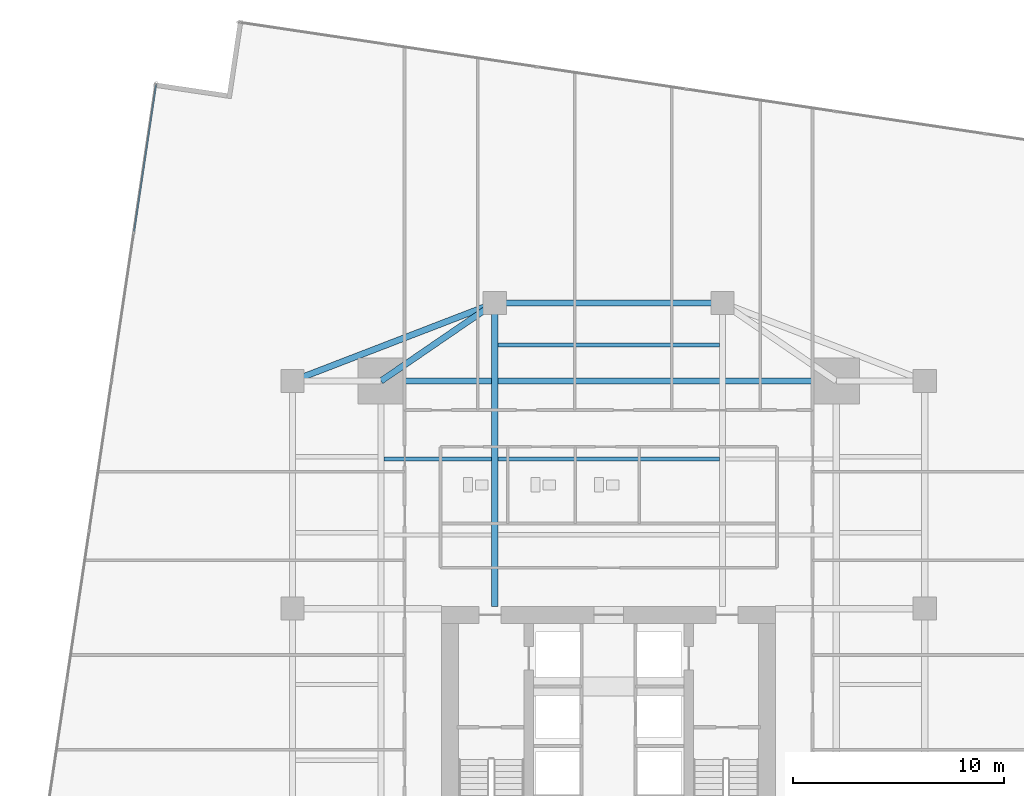
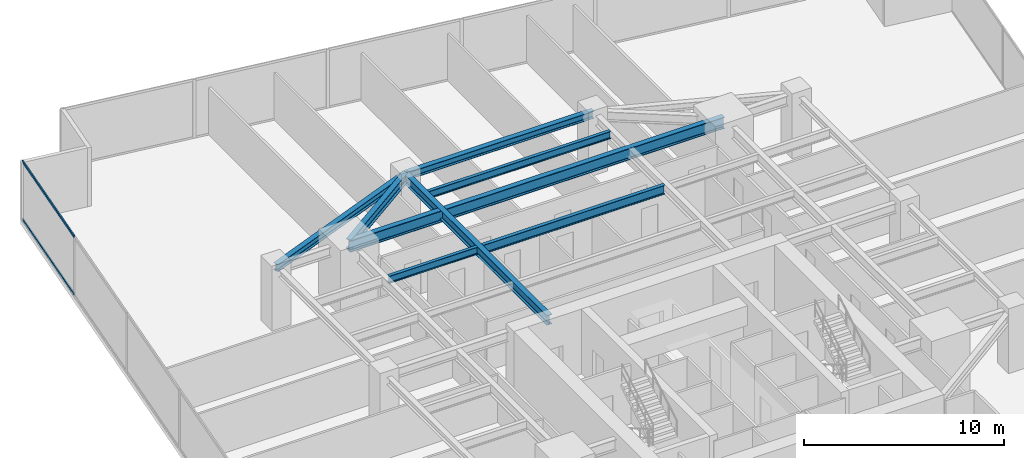
# One storey, part 17 of 29: 8 beams, 2 members, 1 element without a shape of its own.
"""IFC4 building model written with IfcOpenShell, lengths in metres."""

from ifc_helpers import new_model, si_unit, direction, frame, origin, origin_2d, place, context, subcontext, project, spatial, hollow_rectangle, i_section, extrude, source, transform, mapped, material, material_profile, profile_set, type_object, type_shapes, element, aggregate, save


model = new_model("IFC4")

# Units and contexts
model_context = context("Model", 3, precision=1e-05, world=origin(), true_north=direction((0.0, 1.0)))
body_context = subcontext(model_context, "Body", "Model", "MODEL_VIEW")
ifc_project = project(units=[si_unit("LENGTHUNIT", "METRE"), si_unit("AREAUNIT", "SQUARE_METRE"), si_unit("VOLUMEUNIT", "CUBIC_METRE"), si_unit("PLANEANGLEUNIT", "RADIAN"), si_unit("MASSUNIT", "GRAM", prefix="KILO")], contexts=[model_context])

# Site, building, storey
site_placement = place(None, origin())
site = spatial("IfcSite", under=ifc_project, at=site_placement, CompositionType="ELEMENT")
building_placement = place(site_placement, origin())
building = spatial("IfcBuilding", under=site, at=building_placement, Name="Krantzveldt Concourse Tower", CompositionType="ELEMENT")
storey_placement = place(building_placement, frame((0.0, 0.0, 76.35009765625)))
storey = spatial("IfcBuildingStorey", under=building, at=storey_placement, Name="L18", CompositionType="ELEMENT", Elevation=76.35009765625)

# Beams
ifc_material_1 = material(Name="Steel S355J2", Category="steel")
ifc_material_profile_1 = material_profile(ifc_material_1, i_section(OverallWidth=0.300048828125, OverallDepth=0.699951171875, WebThickness=0.01708984375, FlangeThickness=0.031982421875, FilletRadius=0.027099609375, at=origin_2d()), Name="Steel S355J2", Category="steel")
ifc_profile_set_1 = profile_set([ifc_material_profile_1], Name="Steel S355J2 - HEB 700")
beam_type_1 = type_object("IfcBeamType", Name="BM-B-HEB700", PredefinedType="BEAM", material=ifc_profile_set_1)
shared_shape_1 = source(origin(), body_context, "Body", "SweptSolid", [
    extrude(i_section(OverallWidth=0.300048828125, OverallDepth=0.699951171875, WebThickness=0.01708984375, FlangeThickness=0.031982421875, FilletRadius=0.027099609375, at=origin_2d()), origin(), (0.0, 0.0, 1.0), 21.60009765625),
])
type_shapes(beam_type_1, [shared_shape_1])
beam_1_placement = place(storey_placement, frame((25.199951171875, 37.5, 3.239990234375), z_axis=(1.0, 0.0, 0.0), x_axis=(0.0, 1.0, 0.0)))
element("IfcBeam", 1, at=beam_1_placement, inside=storey, type_object=beam_type_1, Name="L18 Tower Girder BG-MN", PredefinedType="BEAM", context=body_context, shape_type="MappedRepresentation", body=[
    mapped(shared_shape_1, transform((0.0, 0.0, 0.0), x_axis=(1.0, 0.0, 0.0), y_axis=(0.0, 1.0, 0.0), z_axis=(0.0, 0.0, 1.0), scale=1.0)),
])
ifc_material_2 = material(Name="Steel S355JR", Category="steel")
ifc_material_profile_2 = material_profile(ifc_material_2, i_section(OverallWidth=0.300048828125, OverallDepth=0.590087890625, WebThickness=0.012939453125, FlangeThickness=0.02490234375, FilletRadius=0.027099609375, at=origin_2d()), Name="Steel S355JR", Category="steel")
ifc_profile_set_2 = profile_set([ifc_material_profile_2], Name="Steel S355JR - HEA 600")
beam_type_2 = type_object("IfcBeamType", Name="BM-B-HEA600", PredefinedType="BEAM", material=ifc_profile_set_2)
shared_shape_2 = source(origin(), body_context, "Body", "SweptSolid", [
    extrude(i_section(OverallWidth=0.300048828125, OverallDepth=0.590087890625, WebThickness=0.012939453125, FlangeThickness=0.02490234375, FilletRadius=0.027099609375, at=origin_2d()), origin(), (0.0, 0.0, 1.0), 14.39990234375),
])
beam_2_placement = place(storey_placement, frame((30.60009765625, 26.800048828125, 3.294921875), z_axis=(0.0, 1.0, 0.0), x_axis=(-1.0, 0.0, 0.0)))
element("IfcBeam", 2, at=beam_2_placement, inside=storey, type_object=beam_type_2, Name="L18 Tower Girder BG-CNW", PredefinedType="BEAM", context=body_context, shape_type="MappedRepresentation", body=[
    mapped(shared_shape_2, transform((0.0, 0.0, 0.0), x_axis=(1.0, 0.0, 0.0), y_axis=(0.0, 1.0, 0.0), z_axis=(0.0, 0.0, 1.0), scale=1.0)),
])
ifc_material_profile_3 = material_profile(ifc_material_2, i_section(OverallWidth=0.300048828125, OverallDepth=0.43994140625, WebThickness=0.011474609375, FlangeThickness=0.02099609375, FilletRadius=0.027099609375, at=origin_2d()), Name="Steel S355JR", Category="steel")
ifc_profile_set_3 = profile_set([ifc_material_profile_3], Name="Steel S355JR - HEA 450")
beam_type_3 = type_object("IfcBeamType", Name="BM-SP-HEA450", PredefinedType="SPANDREL", material=ifc_profile_set_3)
shared_shape_3 = source(origin(), body_context, "Body", "SweptSolid", [
    extrude(i_section(OverallWidth=0.300048828125, OverallDepth=0.43994140625, WebThickness=0.011474609375, FlangeThickness=0.02099609375, FilletRadius=0.027099609375, at=origin_2d()), origin(), (0.0, 0.0, 1.0), 10.288330078125),
])
beam_3_placement = place(storey_placement, frame((21.0, 37.5, 3.369873046875), z_axis=(0.933097690408, 0.359622997257, 0.0), x_axis=(-0.359622997257, 0.933097690408, 0.0)))
element("IfcBeam", 3, at=beam_3_placement, inside=storey, type_object=beam_type_3, Name="L18 Tower Girder SP-R03", PredefinedType="SPANDREL", context=body_context, shape_type="MappedRepresentation", body=[
    mapped(shared_shape_3, transform((0.0, 0.0, 0.0), x_axis=(1.0, 0.0, 0.0), y_axis=(0.0, 1.0, 0.0), z_axis=(0.0, 0.0, 1.0), scale=1.0)),
])
shared_shape_4 = source(origin(), body_context, "Body", "SweptSolid", [
    extrude(i_section(OverallWidth=0.300048828125, OverallDepth=0.43994140625, WebThickness=0.011474609375, FlangeThickness=0.02099609375, FilletRadius=0.027099609375, at=origin_2d()), origin(), (0.0, 0.0, 1.0), 10.7998046875),
])
type_shapes(beam_type_3, [shared_shape_3, shared_shape_4])
beam_4_placement = place(storey_placement, frame((30.60009765625, 41.199951171875, 3.369873046875), z_axis=(1.0, 0.0, 0.0), x_axis=(0.0, 1.0, 0.0)))
element("IfcBeam", 4, at=beam_4_placement, inside=storey, type_object=beam_type_3, Name="L18 Tower Girder SP-R04", PredefinedType="SPANDREL", context=body_context, shape_type="MappedRepresentation", body=[
    mapped(shared_shape_4, transform((0.0, 0.0, 0.0), x_axis=(1.0, 0.0, 0.0), y_axis=(0.0, 1.0, 0.0), z_axis=(0.0, 0.0, 1.0), scale=1.0)),
])
shared_shape_5 = source(origin(), body_context, "Body", "SweptSolid", [
    extrude(i_section(OverallWidth=0.300048828125, OverallDepth=0.590087890625, WebThickness=0.012939453125, FlangeThickness=0.02490234375, FilletRadius=0.027099609375, at=origin_2d()), origin(), (0.0, 0.0, 1.0), 6.546142578125),
])
type_shapes(beam_type_2, [shared_shape_2, shared_shape_5])
beam_5_placement = place(storey_placement, frame((25.199951171875, 37.5, 3.294921875), z_axis=(0.824942999484, 0.565215930068, 0.0), x_axis=(-0.565215930068, 0.824942999484, 0.0)))
element("IfcBeam", 5, at=beam_5_placement, inside=storey, type_object=beam_type_2, Name="L18 Tower Girder BR-RL4", PredefinedType="BEAM", context=body_context, shape_type="MappedRepresentation", body=[
    mapped(shared_shape_5, transform((0.0, 0.0, 0.0), x_axis=(1.0, 0.0, 0.0), y_axis=(0.0, 1.0, 0.0), z_axis=(0.0, 0.0, 1.0), scale=1.0)),
])
ifc_material_profile_4 = material_profile(ifc_material_2, i_section(OverallWidth=0.2099609375, OverallDepth=0.550048828125, WebThickness=0.010986328125, FlangeThickness=0.01708984375, FilletRadius=0.02392578125, at=origin_2d()), Name="Steel S355JR", Category="steel")
ifc_profile_set_4 = profile_set([ifc_material_profile_4], Name="Steel S355JR - IPE 550")
beam_type_4 = type_object("IfcBeamType", Name="BM-J-IPE550", PredefinedType="JOIST", material=ifc_profile_set_4)
shared_shape_6 = source(origin(), body_context, "Body", "SweptSolid", [
    extrude(i_section(OverallWidth=0.2099609375, OverallDepth=0.550048828125, WebThickness=0.010986328125, FlangeThickness=0.01708984375, FilletRadius=0.02392578125, at=origin_2d()), origin(), (0.0, 0.0, 1.0), 10.5),
])
type_shapes(beam_type_4, [shared_shape_6])
beam_6_placement = place(storey_placement, frame((30.75, 33.800048828125, 3.31494140625), z_axis=(1.0, 0.0, 0.0), x_axis=(0.0, 1.0, 0.0)))
element("IfcBeam", 6, at=beam_6_placement, inside=storey, type_object=beam_type_4, Name="L18 Secondary Floor Joist JN-C2", PredefinedType="JOIST", context=body_context, shape_type="MappedRepresentation", body=[
    mapped(shared_shape_6, transform((0.0, 0.0, 0.0), x_axis=(1.0, 0.0, 0.0), y_axis=(0.0, 1.0, 0.0), z_axis=(0.0, 0.0, 1.0), scale=1.0)),
])
ifc_material_profile_5 = material_profile(ifc_material_2, i_section(OverallWidth=0.18994140625, OverallDepth=0.449951171875, WebThickness=0.009521484375, FlangeThickness=0.0146484375, FilletRadius=0.02099609375, at=origin_2d()), Name="Steel S355JR", Category="steel")
ifc_profile_set_5 = profile_set([ifc_material_profile_5], Name="Steel S355JR - IPE 450")
beam_type_5 = type_object("IfcBeamType", Name="BM-J-IPE450", PredefinedType="JOIST", material=ifc_profile_set_5)
shared_shape_7 = source(origin(), body_context, "Body", "SweptSolid", [
    extrude(i_section(OverallWidth=0.18994140625, OverallDepth=0.449951171875, WebThickness=0.009521484375, FlangeThickness=0.0146484375, FilletRadius=0.02099609375, at=origin_2d()), origin(), (0.0, 0.0, 1.0), 10.5),
])
beam_7_placement = place(storey_placement, frame((30.75, 39.199951171875, 3.364990234375), z_axis=(1.0, 0.0, 0.0), x_axis=(0.0, 1.0, 0.0)))
element("IfcBeam", 7, at=beam_7_placement, inside=storey, type_object=beam_type_5, Name="L18 Secondary Floor Joist JN-C3", PredefinedType="JOIST", context=body_context, shape_type="MappedRepresentation", body=[
    mapped(shared_shape_7, transform((0.0, 0.0, 0.0), x_axis=(1.0, 0.0, 0.0), y_axis=(0.0, 1.0, 0.0), z_axis=(0.0, 0.0, 1.0), scale=1.0)),
])
shared_shape_8 = source(origin(), body_context, "Body", "SweptSolid", [
    extrude(i_section(OverallWidth=0.18994140625, OverallDepth=0.449951171875, WebThickness=0.009521484375, FlangeThickness=0.0146484375, FilletRadius=0.02099609375, at=origin_2d()), origin(), (0.0, 0.0, 1.0), 5.099853515625),
])
type_shapes(beam_type_5, [shared_shape_7, shared_shape_8])
beam_8_placement = place(storey_placement, frame((25.35009765625, 33.800048828125, 3.364990234375), z_axis=(1.0, 0.0, 0.0), x_axis=(0.0, 1.0, 0.0)))
element("IfcBeam", 8, at=beam_8_placement, inside=storey, type_object=beam_type_5, Name="L18 Secondary Floor Joist JN-W2", PredefinedType="JOIST", context=body_context, shape_type="MappedRepresentation", body=[
    mapped(shared_shape_8, transform((0.0, 0.0, 0.0), x_axis=(1.0, 0.0, 0.0), y_axis=(0.0, 1.0, 0.0), z_axis=(0.0, 0.0, 1.0), scale=1.0)),
])

# Curtain wall, members
ifc_material_3 = material(Name="Anodised aluminium 6063-T6", Category="aluminium")
curtain_wall_type = type_object("IfcCurtainWallType", Name="CW2", PredefinedType="USERDEFINED", material=ifc_material_3)
curtain_wall_placement = place(storey_placement, origin())
curtain_wall = element("IfcCurtainWall", 9, at=curtain_wall_placement, inside=storey, type_object=curtain_wall_type, Name="CW-L18-F01", ObjectType="UNITISED CURTAIN WALL", PredefinedType="USERDEFINED")
ifc_material_profile_6 = material_profile(ifc_material_3, hollow_rectangle(XDim=0.070068359375, YDim=0.139892578125, WallThickness=0.0048828125, at=origin_2d()), Name="Anodised aluminium 6063-T6", Category="aluminium")
ifc_profile_set_6 = profile_set([ifc_material_profile_6], Name="Anodised aluminium 6063-T6 - ALU-TRAN 140x70x5")
member_type = type_object("IfcMemberType", Name="CW-TRN-150", PredefinedType="USERDEFINED", material=ifc_profile_set_6)
shared_shape_9 = source(origin(), body_context, "Body", "SweptSolid", [
    extrude(hollow_rectangle(XDim=0.070068359375, YDim=0.139892578125, WallThickness=0.0048828125, at=origin_2d()), origin(), (0.0, 0.0, 1.0), 7.061767578125),
])
type_shapes(member_type, [shared_shape_9])
member_1_placement = place(storey_placement, frame((14.53125, 51.57666015625, 0.034912109375), z_axis=(-0.147831568187, -0.989012551714, 0.0), x_axis=(0.989012551714, -0.147831568187, 0.0)))
member_1 = element("IfcMember", 10, at=member_1_placement, type_object=member_type, Name="CW-Z12 transom 1.1", ObjectType="TRANSOM", PredefinedType="USERDEFINED", context=body_context, shape_type="MappedRepresentation", body=[
    mapped(shared_shape_9, transform((0.0, 0.0, 0.0), x_axis=(1.0, 0.0, 0.0), y_axis=(0.0, 1.0, 0.0), z_axis=(0.0, 0.0, 1.0), scale=1.0)),
])
member_2_placement = place(storey_placement, frame((14.53125, 51.57666015625, 3.554931640625), z_axis=(-0.147831568187, -0.989012551714, 0.0), x_axis=(0.989012551714, -0.147831568187, 0.0)))
member_2 = element("IfcMember", 11, at=member_2_placement, type_object=member_type, Name="CW-Z12 transom 1.2", ObjectType="TRANSOM", PredefinedType="USERDEFINED", context=body_context, shape_type="MappedRepresentation", body=[
    mapped(shared_shape_9, transform((0.0, 0.0, 0.0), x_axis=(1.0, 0.0, 0.0), y_axis=(0.0, 1.0, 0.0), z_axis=(0.0, 0.0, 1.0), scale=1.0)),
])
aggregate(curtain_wall, [member_1, member_2])

save(model, "model.ifc")
